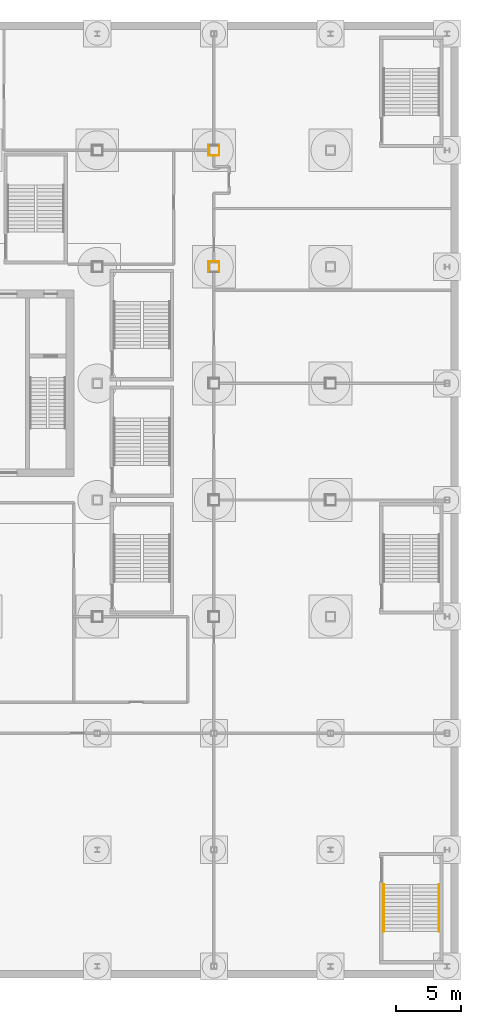
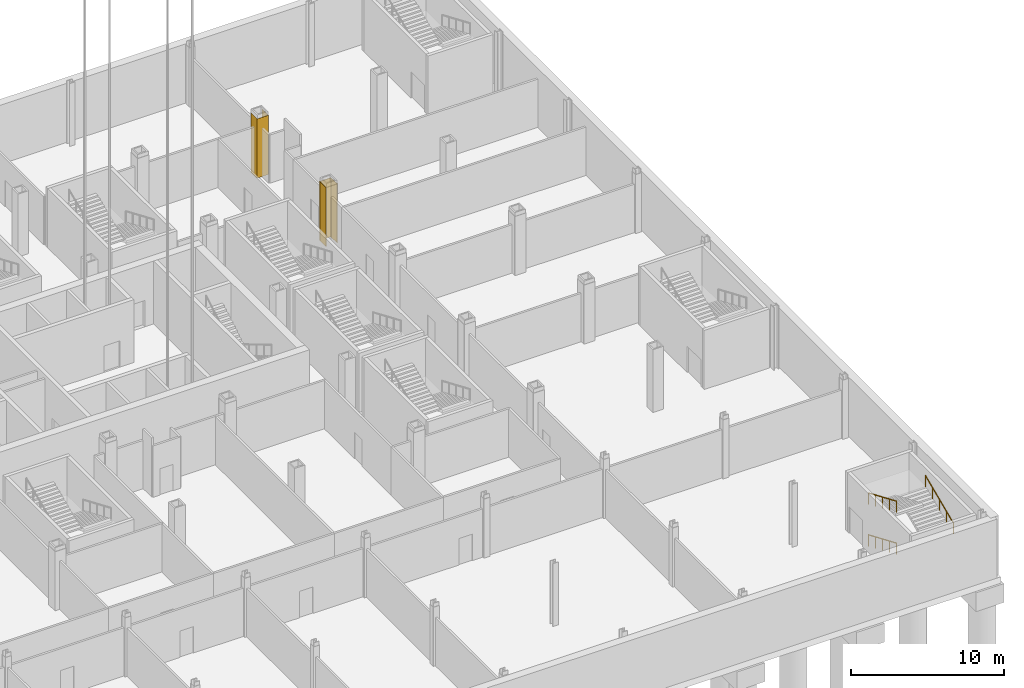
# One storey, part 22 of 28: 6 coverings, 3 railings.
"""IFC4 building model written with IfcOpenShell, lengths in metres."""

import ifcopenshell
import ifcopenshell.guid

model = None  # the IFC model being written
_history = None  # IfcOwnerHistory: only IFC2X3 demands one
_inside = {}  # id of a spatial element -> (the spatial element, [elements in it])
_under = {}  # id of a project, library or spatial element -> (it, [spatial elements below it])
_declared = {}  # id of a project -> (the project, [libraries it declares])
_typed = {}  # id of a type object -> (the type object, [elements of that type])
_made_of = {}  # id of a material, layer set ... -> (it, [elements and type objects made of it])


def new_model(schema):
    """Start an empty IFC model of exactly this schema.

    Asked for "IFC4X3", IfcOpenShell would pick the latest addendum, in which some entities
    have other attributes; the version numbers below select the first issue.
    IFC2X3 requires an IfcOwnerHistory on every rooted entity: one is made here for all.
    """
    global model, _history
    if schema == "IFC4X3":
        model = ifcopenshell.file(schema_version=(4, 3, 0, 0))
    else:
        model = ifcopenshell.file(schema=schema)
    _inside.clear()
    _under.clear()
    _declared.clear()
    _typed.clear()
    _made_of.clear()
    _history = None
    if model.schema == "IFC2X3":
        org = make("IfcOrganization", Name="unknown")
        user = make(
            "IfcPersonAndOrganization",
            ThePerson=make("IfcPerson", FamilyName="unknown"),
            TheOrganization=org,
        )
        app = make(
            "IfcApplication",
            ApplicationDeveloper=org,
            Version="unknown",
            ApplicationFullName="unknown",
            ApplicationIdentifier="unknown",
        )
        _history = make(
            "IfcOwnerHistory",
            OwningUser=user,
            OwningApplication=app,
            ChangeAction="ADDED",
            CreationDate=0,
        )
    return model


def make(cls, **values):
    """One entity of the class cls with the attributes given. An attribute that is None is left unset."""
    return model.create_entity(
        cls, **{name: value for name, value in values.items() if value is not None}
    )


def rooted(cls, **values):
    """An entity with a GlobalId (a new one), such as an element, a storey or a relation."""
    return make(cls, GlobalId=ifcopenshell.guid.new(), OwnerHistory=_history, **values)


def si_unit(unit_type, name, prefix=None):
    """IfcSIUnit, for example si_unit("LENGTHUNIT", "METRE", prefix="MILLI")."""
    return make("IfcSIUnit", UnitType=unit_type, Prefix=prefix, Name=name)


def assignment(units):
    """IfcUnitAssignment: the units of a project."""
    return None if units is None else make("IfcUnitAssignment", Units=units)


def point(xyz):
    """IfcCartesianPoint."""
    return None if xyz is None else make("IfcCartesianPoint", Coordinates=xyz)


def direction(xyz):
    """IfcDirection."""
    return None if xyz is None else make("IfcDirection", DirectionRatios=xyz)


def frame(location, z_axis=None, x_axis=None):
    """IfcAxis2Placement3D, a coordinate frame: its origin and axes. An axis left out is left unset."""
    return make(
        "IfcAxis2Placement3D",
        Location=point(location),
        Axis=direction(z_axis),
        RefDirection=direction(x_axis),
    )


def frame_2d(location, x_axis=None):
    """IfcAxis2Placement2D, a coordinate frame in the plane: its origin and x axis."""
    return make(
        "IfcAxis2Placement2D", Location=point(location), RefDirection=direction(x_axis)
    )


def origin():
    """The frame at (0, 0, 0) with its axes left unset."""
    return frame((0.0, 0.0, 0.0))


def origin_2d():
    """The frame at (0, 0) in the plane with its x axis left unset."""
    return frame_2d((0.0, 0.0))


def place(relative_to, where):
    """IfcLocalPlacement: puts the frame where relative to a parent placement (None: the world)."""
    return make(
        "IfcLocalPlacement", PlacementRelTo=relative_to, RelativePlacement=where
    )


def context(
    kind, dimensions, precision=None, world=None, true_north=None, identifier=None
):
    """IfcGeometricRepresentationContext, for example the 3D "Model" context."""
    return make(
        "IfcGeometricRepresentationContext",
        ContextIdentifier=identifier,
        ContextType=kind,
        CoordinateSpaceDimension=dimensions,
        Precision=precision,
        WorldCoordinateSystem=world,
        TrueNorth=true_north,
    )


def subcontext(parent, identifier, kind, view, scale=None):
    """IfcGeometricRepresentationSubContext, for example "Body" below "Model"."""
    return make(
        "IfcGeometricRepresentationSubContext",
        ContextIdentifier=identifier,
        ContextType=kind,
        ParentContext=parent,
        TargetScale=scale,
        TargetView=view,
    )


def project(units=None, contexts=None):
    """IfcProject with its units and contexts."""
    return rooted(
        "IfcProject",
        Name="project",
        RepresentationContexts=contexts,
        UnitsInContext=assignment(units),
    )


def spatial(cls, under=None, at=None, **own):
    """A site, building, storey or space (cls), placed at a placement, below another one or the project."""
    s = rooted(cls, ObjectPlacement=at, **own)
    if under is not None:
        _under.setdefault(under.id(), (under, []))[1].append(s)
    return s


def profile(cls, at=None, kind="AREA", **sizes):
    """A parametric profile (cls). Its sizes go by their IFC names, for example OverallWidth=200.0."""
    return make(cls, ProfileType=kind, Position=at, **sizes)


def rectangle(**sizes):
    """IfcRectangleProfileDef."""
    return profile("IfcRectangleProfileDef", **sizes)


def circle(**sizes):
    """IfcCircleProfileDef."""
    return profile("IfcCircleProfileDef", **sizes)


def extrude(swept, where, along, depth):
    """IfcExtrudedAreaSolid: the profile swept, set in the frame where, extruded along a direction by depth."""
    return make(
        "IfcExtrudedAreaSolid",
        SweptArea=swept,
        Position=where,
        ExtrudedDirection=direction(along),
        Depth=depth,
    )


def shape(context_of_items, identifier, shape_type, items):
    """IfcShapeRepresentation: the items that make up one representation, for example the "Body"."""
    return make(
        "IfcShapeRepresentation",
        ContextOfItems=context_of_items,
        RepresentationIdentifier=identifier,
        RepresentationType=shape_type,
        Items=items,
    )


def material(Name=None, Category=None):
    """IfcMaterial."""
    return make("IfcMaterial", Name=Name, Category=Category)


def layer(
    of_material, thickness, ventilated=None, Name=None, Category=None, Priority=None
):
    """IfcMaterialLayer: one layer of a wall or slab, of a material (None: an air gap)."""
    return make(
        "IfcMaterialLayer",
        Material=of_material,
        LayerThickness=thickness,
        IsVentilated=ventilated,
        Name=Name,
        Category=Category,
        Priority=Priority,
    )


def layer_set(layers, Name=None):
    """IfcMaterialLayerSet."""
    return make("IfcMaterialLayerSet", MaterialLayers=layers, LayerSetName=Name)


def made_of(thing, what):
    """Note that an element or type object is made of a material, layer set ...; save() writes the relation."""
    if what is not None:
        _made_of.setdefault(what.id(), (what, []))[1].append(thing)
    return thing


def type_object(cls, material=None, **own):
    """A type object (cls), such as IfcWallType, which elements share."""
    return made_of(rooted(cls, **own), material)


def element(
    cls,
    number,
    at=None,
    inside=None,
    cuts=None,
    type_object=None,
    material=None,
    context=None,
    identifier="Body",
    shape_type=None,
    held_by="IfcProductDefinitionShape",
    body=None,
    shapes=None,
    **own,
):
    """One element of the class cls, such as IfcWall. Its Tag is "e" and its number.

    at: its placement. inside: the storey or other place that contains it. cuts: it is an
    opening in that element (IfcRelVoidsElement). A single representation is given by context,
    identifier, shape_type and body (its items); several are given by shapes. held_by: the class
    of the entity that holds the representations. save() writes the other relations.
    """
    e = rooted(cls, Tag="e%d" % number, ObjectPlacement=at, **own)
    if body is not None:
        shapes = [shape(context, identifier, shape_type, body)]
    if shapes is not None:
        e.Representation = make(held_by, Representations=shapes)
    if inside is not None:
        _inside.setdefault(inside.id(), (inside, []))[1].append(e)
    if cuts is not None:
        rooted(
            "IfcRelVoidsElement", RelatingBuildingElement=cuts, RelatedOpeningElement=e
        )
    if type_object is not None:
        _typed.setdefault(type_object.id(), (type_object, []))[1].append(e)
    return made_of(e, material)


def aggregate(whole, parts):
    """IfcRelAggregates: a whole, such as a stair, and the parts it consists of."""
    return rooted("IfcRelAggregates", RelatingObject=whole, RelatedObjects=parts)


def save(model, path):
    """Write the relations noted so far, then the file.

    IfcRelAggregates (storeys below a building ...), IfcRelContainedInSpatialStructure (elements
    in a storey), IfcRelDefinesByType, IfcRelAssociatesMaterial and IfcRelDeclares: one each for
    every whole, place, type object, material and project.
    """
    for whole, parts in _under.values():
        aggregate(whole, parts)
    for where, things in _inside.values():
        rooted(
            "IfcRelContainedInSpatialStructure",
            RelatedElements=things,
            RelatingStructure=where,
        )
    for kind, things in _typed.values():
        rooted("IfcRelDefinesByType", RelatedObjects=things, RelatingType=kind)
    for what, things in _made_of.values():
        rooted("IfcRelAssociatesMaterial", RelatedObjects=things, RelatingMaterial=what)
    for by, libraries in _declared.values():
        rooted("IfcRelDeclares", RelatingContext=by, RelatedDefinitions=libraries)
    model.write(path)


model = new_model("IFC4")

# Units and contexts
model_context = context("Model", 3, precision=1e-05, world=origin(), true_north=direction((0.0, 1.0)))
body_context = subcontext(model_context, "Body", "Model", "MODEL_VIEW")
ifc_project = project(units=[si_unit("LENGTHUNIT", "METRE"), si_unit("AREAUNIT", "SQUARE_METRE"), si_unit("VOLUMEUNIT", "CUBIC_METRE"), si_unit("PLANEANGLEUNIT", "RADIAN"), si_unit("MASSUNIT", "GRAM", prefix="KILO")], contexts=[model_context])

# Site, building, storey
site_placement = place(None, origin())
site = spatial("IfcSite", under=ifc_project, at=site_placement, CompositionType="ELEMENT")
building_placement = place(site_placement, origin())
building = spatial("IfcBuilding", under=site, at=building_placement, Name="Loomwork Tower", CompositionType="ELEMENT")
storey_placement = place(building_placement, frame((0.0, 0.0, -10.5)))
storey = spatial("IfcBuildingStorey", under=building, at=storey_placement, Name="B2", CompositionType="ELEMENT", Elevation=-10.5)

# Coverings
ifc_material_1 = material(Name="Two-hour fire-rated gypsum board casing")
ifc_layer = layer(ifc_material_1, 0.02490234375)
ifc_layer_set = layer_set([ifc_layer], Name="Column fire casing 25")
covering_type = type_object("IfcCoveringType", Name="Column fire casing 25", PredefinedType="CLADDING", material=ifc_layer_set)
covering_1_placement = place(storey_placement, frame((45.0, 27.41259765625, 0.0), z_axis=(0.0, 0.0, 1.0), x_axis=(1.0, 0.0, 0.0)))
element("IfcCovering", 1, at=covering_1_placement, inside=storey, type_object=covering_type, Name="Column casing 45 27 B2", PredefinedType="CLADDING", context=body_context, shape_type="SweptSolid", body=[
    extrude(rectangle(XDim=0.85009765625, YDim=0.02490234375, at=origin_2d()), origin(), (0.0, 0.0, 1.0), 4.699951171875),
])
for number, where, z_axis, x_axis, name in (
    (2, (45.41259765625, 27.0, 0.0), (0.0, 0.0, 1.0), (1.0, 0.0, 0.0), "Column casing 45 27 B2"),
    (3, (44.58740234375, 27.0, 0.0), (0.0, 0.0, 1.0), (1.0, 0.0, 0.0), "Column casing 45 27 B2"),
):
    element("IfcCovering", number, at=place(storey_placement, frame(where, z_axis=z_axis, x_axis=x_axis)), inside=storey, type_object=covering_type, Name=name, PredefinedType="CLADDING", context=body_context, shape_type="SweptSolid", body=[
        extrude(rectangle(XDim=0.02490234375, YDim=0.800048828125, at=origin_2d()), origin(), (0.0, 0.0, 1.0), 4.699951171875),
    ])
covering_2_placement = place(storey_placement, frame((45.0, 35.58740234375, 0.0), z_axis=(0.0, 0.0, 1.0), x_axis=(1.0, 0.0, 0.0)))
element("IfcCovering", 4, at=covering_2_placement, inside=storey, type_object=covering_type, Name="Column casing 45 36 B2", PredefinedType="CLADDING", context=body_context, shape_type="SweptSolid", body=[
    extrude(rectangle(XDim=0.85009765625, YDim=0.02490234375, at=origin_2d()), origin(), (0.0, 0.0, 1.0), 4.699951171875),
])
for number, where, z_axis, x_axis, name in (
    (5, (45.41259765625, 36.0, 0.0), (0.0, 0.0, 1.0), (1.0, 0.0, 0.0), "Column casing 45 36 B2"),
    (6, (44.58740234375, 36.0, 0.0), (0.0, 0.0, 1.0), (1.0, 0.0, 0.0), "Column casing 45 36 B2"),
):
    element("IfcCovering", number, at=place(storey_placement, frame(where, z_axis=z_axis, x_axis=x_axis)), inside=storey, type_object=covering_type, Name=name, PredefinedType="CLADDING", context=body_context, shape_type="SweptSolid", body=[
        extrude(rectangle(XDim=0.02490234375, YDim=0.800048828125, at=origin_2d()), origin(), (0.0, 0.0, 1.0), 4.699951171875),
    ])

# Railings
ifc_material_2 = material(Name="Stainless steel handrail", Category="steel")
railing_type = type_object("IfcRailingType", Name="Handrail 900", PredefinedType="HANDRAIL", material=ifc_material_2)
railing_1_placement = place(storey_placement, frame((58.110107421875, -20.679931640625, 0.118896484375)))
element("IfcRailing", 7, at=railing_1_placement, inside=storey, type_object=railing_type, Name="Podium stair PS2 handrail flight 1 B2", PredefinedType="HANDRAIL", context=body_context, shape_type="SweptSolid", body=[
    extrude(circle(Radius=0.02392578125, at=origin_2d()), frame((0.0, 0.0, 0.8759765625), z_axis=(0.0, -0.920258693564, 0.391310537706), x_axis=(1.0, 0.0, 0.0)), (0.0, 0.0, 1.0), 3.95556640625),
    extrude(circle(Radius=0.02099609375, at=origin_2d()), origin(), (0.0, 0.0, 1.0), 0.851806640625),
    extrude(circle(Radius=0.02099609375, at=origin_2d()), frame((0.0, -0.91015625, 0.386962890625)), (0.0, 0.0, 1.0), 0.851806640625),
    extrude(circle(Radius=0.02099609375, at=origin_2d()), frame((0.0, -1.820068359375, 0.77392578125)), (0.0, 0.0, 1.0), 0.851806640625),
    extrude(circle(Radius=0.02099609375, at=origin_2d()), frame((0.0, -2.72998046875, 1.160888671875)), (0.0, 0.0, 1.0), 0.851806640625),
    extrude(circle(Radius=0.02099609375, at=origin_2d()), frame((0.0, -3.64013671875, 1.5478515625)), (0.0, 0.0, 1.0), 0.851806640625),
])
railing_2_placement = place(storey_placement, frame((62.389892578125, -24.320068359375, 1.78564453125)))
element("IfcRailing", 8, at=railing_2_placement, inside=storey, type_object=railing_type, Name="Podium stair PS2 handrail flight 2 B2", PredefinedType="HANDRAIL", context=body_context, shape_type="SweptSolid", body=[
    extrude(circle(Radius=0.02392578125, at=origin_2d()), frame((0.0, 0.0, 0.8759765625), z_axis=(0.0, 0.920258693564, 0.391310537706), x_axis=(-1.0, 0.0, 0.0)), (0.0, 0.0, 1.0), 3.95556640625),
    extrude(circle(Radius=0.02099609375, at=origin_2d()), origin(), (0.0, 0.0, 1.0), 0.851806640625),
    extrude(circle(Radius=0.02099609375, at=origin_2d()), frame((0.0, 0.91015625, 0.386962890625)), (0.0, 0.0, 1.0), 0.851806640625),
    extrude(circle(Radius=0.02099609375, at=origin_2d()), frame((0.0, 1.820068359375, 0.77392578125)), (0.0, 0.0, 1.0), 0.851806640625),
    extrude(circle(Radius=0.02099609375, at=origin_2d()), frame((0.0, 2.72998046875, 1.160888671875)), (0.0, 0.0, 1.0), 0.851806640625),
    extrude(circle(Radius=0.02099609375, at=origin_2d()), frame((0.0, 3.64013671875, 1.5478515625)), (0.0, 0.0, 1.0), 0.851806640625),
])
railing_3_placement = place(storey_placement, frame((58.110107421875, -20.679931640625, 3.452392578125)))
element("IfcRailing", 9, at=railing_3_placement, inside=storey, type_object=railing_type, Name="Podium stair PS2 handrail flight 3 B2", PredefinedType="HANDRAIL", context=body_context, shape_type="SweptSolid", body=[
    extrude(circle(Radius=0.02392578125, at=origin_2d()), frame((0.0, 0.0, 0.8759765625), z_axis=(0.0, -0.920280918742, 0.391258265855), x_axis=(1.0, 0.0, 0.0)), (0.0, 0.0, 1.0), 3.95556640625),
    extrude(circle(Radius=0.02099609375, at=origin_2d()), origin(), (0.0, 0.0, 1.0), 0.851806640625),
    extrude(circle(Radius=0.02099609375, at=origin_2d()), frame((0.0, -0.91015625, 0.386962890625)), (0.0, 0.0, 1.0), 0.851806640625),
    extrude(circle(Radius=0.02099609375, at=origin_2d()), frame((0.0, -1.820068359375, 0.77392578125)), (0.0, 0.0, 1.0), 0.851806640625),
    extrude(circle(Radius=0.02099609375, at=origin_2d()), frame((0.0, -2.72998046875, 1.16064453125)), (0.0, 0.0, 1.0), 0.851806640625),
    extrude(circle(Radius=0.02099609375, at=origin_2d()), frame((0.0, -3.64013671875, 1.547607421875)), (0.0, 0.0, 1.0), 0.851806640625),
])

save(model, "model.ifc")
